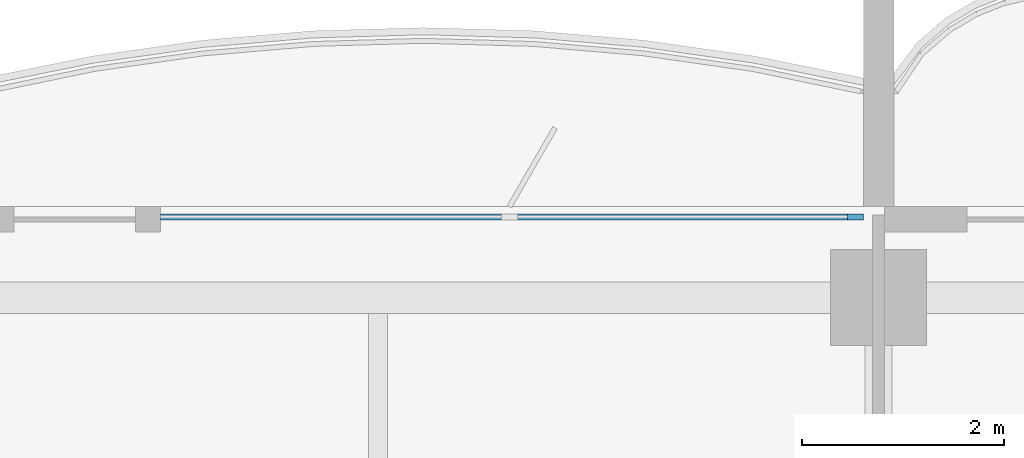
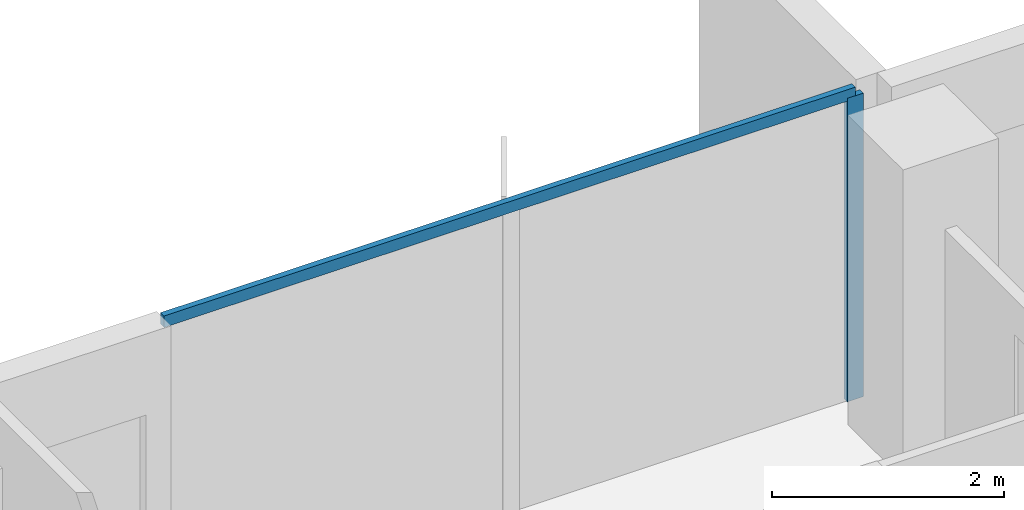
# One storey, part 6 of 17: 2 members, 1 element without a shape of its own.
"""IFC4 building model written with IfcOpenShell, lengths in metres."""

import ifcopenshell
import ifcopenshell.guid

model = None  # the IFC model being written
_history = None  # IfcOwnerHistory: only IFC2X3 demands one
_inside = {}  # id of a spatial element -> (the spatial element, [elements in it])
_under = {}  # id of a project, library or spatial element -> (it, [spatial elements below it])
_declared = {}  # id of a project -> (the project, [libraries it declares])
_typed = {}  # id of a type object -> (the type object, [elements of that type])
_made_of = {}  # id of a material, layer set ... -> (it, [elements and type objects made of it])


def new_model(schema):
    """Start an empty IFC model of exactly this schema.

    Asked for "IFC4X3", IfcOpenShell would pick the latest addendum, in which some entities
    have other attributes; the version numbers below select the first issue.
    IFC2X3 requires an IfcOwnerHistory on every rooted entity: one is made here for all.
    """
    global model, _history
    if schema == "IFC4X3":
        model = ifcopenshell.file(schema_version=(4, 3, 0, 0))
    else:
        model = ifcopenshell.file(schema=schema)
    _inside.clear()
    _under.clear()
    _declared.clear()
    _typed.clear()
    _made_of.clear()
    _history = None
    if model.schema == "IFC2X3":
        org = make("IfcOrganization", Name="unknown")
        user = make(
            "IfcPersonAndOrganization",
            ThePerson=make("IfcPerson", FamilyName="unknown"),
            TheOrganization=org,
        )
        app = make(
            "IfcApplication",
            ApplicationDeveloper=org,
            Version="unknown",
            ApplicationFullName="unknown",
            ApplicationIdentifier="unknown",
        )
        _history = make(
            "IfcOwnerHistory",
            OwningUser=user,
            OwningApplication=app,
            ChangeAction="ADDED",
            CreationDate=0,
        )
    return model


def make(cls, **values):
    """One entity of the class cls with the attributes given. An attribute that is None is left unset."""
    return model.create_entity(
        cls, **{name: value for name, value in values.items() if value is not None}
    )


def rooted(cls, **values):
    """An entity with a GlobalId (a new one), such as an element, a storey or a relation."""
    return make(cls, GlobalId=ifcopenshell.guid.new(), OwnerHistory=_history, **values)


def si_unit(unit_type, name, prefix=None):
    """IfcSIUnit, for example si_unit("LENGTHUNIT", "METRE", prefix="MILLI")."""
    return make("IfcSIUnit", UnitType=unit_type, Prefix=prefix, Name=name)


def assignment(units):
    """IfcUnitAssignment: the units of a project."""
    return None if units is None else make("IfcUnitAssignment", Units=units)


def point(xyz):
    """IfcCartesianPoint."""
    return None if xyz is None else make("IfcCartesianPoint", Coordinates=xyz)


def direction(xyz):
    """IfcDirection."""
    return None if xyz is None else make("IfcDirection", DirectionRatios=xyz)


def frame(location, z_axis=None, x_axis=None):
    """IfcAxis2Placement3D, a coordinate frame: its origin and axes. An axis left out is left unset."""
    return make(
        "IfcAxis2Placement3D",
        Location=point(location),
        Axis=direction(z_axis),
        RefDirection=direction(x_axis),
    )


def frame_2d(location, x_axis=None):
    """IfcAxis2Placement2D, a coordinate frame in the plane: its origin and x axis."""
    return make(
        "IfcAxis2Placement2D", Location=point(location), RefDirection=direction(x_axis)
    )


def origin():
    """The frame at (0, 0, 0) with its axes left unset."""
    return frame((0.0, 0.0, 0.0))


def origin_2d():
    """The frame at (0, 0) in the plane with its x axis left unset."""
    return frame_2d((0.0, 0.0))


def place(relative_to, where):
    """IfcLocalPlacement: puts the frame where relative to a parent placement (None: the world)."""
    return make(
        "IfcLocalPlacement", PlacementRelTo=relative_to, RelativePlacement=where
    )


def context(
    kind, dimensions, precision=None, world=None, true_north=None, identifier=None
):
    """IfcGeometricRepresentationContext, for example the 3D "Model" context."""
    return make(
        "IfcGeometricRepresentationContext",
        ContextIdentifier=identifier,
        ContextType=kind,
        CoordinateSpaceDimension=dimensions,
        Precision=precision,
        WorldCoordinateSystem=world,
        TrueNorth=true_north,
    )


def subcontext(parent, identifier, kind, view, scale=None):
    """IfcGeometricRepresentationSubContext, for example "Body" below "Model"."""
    return make(
        "IfcGeometricRepresentationSubContext",
        ContextIdentifier=identifier,
        ContextType=kind,
        ParentContext=parent,
        TargetScale=scale,
        TargetView=view,
    )


def project(units=None, contexts=None):
    """IfcProject with its units and contexts."""
    return rooted(
        "IfcProject",
        Name="project",
        RepresentationContexts=contexts,
        UnitsInContext=assignment(units),
    )


def spatial(cls, under=None, at=None, **own):
    """A site, building, storey or space (cls), placed at a placement, below another one or the project."""
    s = rooted(cls, ObjectPlacement=at, **own)
    if under is not None:
        _under.setdefault(under.id(), (under, []))[1].append(s)
    return s


def profile(cls, at=None, kind="AREA", **sizes):
    """A parametric profile (cls). Its sizes go by their IFC names, for example OverallWidth=200.0."""
    return make(cls, ProfileType=kind, Position=at, **sizes)


def rectangle(**sizes):
    """IfcRectangleProfileDef."""
    return profile("IfcRectangleProfileDef", **sizes)


def extrude(swept, where, along, depth):
    """IfcExtrudedAreaSolid: the profile swept, set in the frame where, extruded along a direction by depth."""
    return make(
        "IfcExtrudedAreaSolid",
        SweptArea=swept,
        Position=where,
        ExtrudedDirection=direction(along),
        Depth=depth,
    )


def shape(context_of_items, identifier, shape_type, items):
    """IfcShapeRepresentation: the items that make up one representation, for example the "Body"."""
    return make(
        "IfcShapeRepresentation",
        ContextOfItems=context_of_items,
        RepresentationIdentifier=identifier,
        RepresentationType=shape_type,
        Items=items,
    )


def material(Name=None, Category=None):
    """IfcMaterial."""
    return make("IfcMaterial", Name=Name, Category=Category)


def material_profile(
    of_material, cross_section, Name=None, Category=None, Priority=None
):
    """IfcMaterialProfile: a cross section and its material."""
    return make(
        "IfcMaterialProfile",
        Name=Name,
        Material=of_material,
        Profile=cross_section,
        Priority=Priority,
        Category=Category,
    )


def profile_set(profiles, Name=None, composite=None):
    """IfcMaterialProfileSet."""
    return make(
        "IfcMaterialProfileSet",
        Name=Name,
        MaterialProfiles=profiles,
        CompositeProfile=composite,
    )


def made_of(thing, what):
    """Note that an element or type object is made of a material, layer set ...; save() writes the relation."""
    if what is not None:
        _made_of.setdefault(what.id(), (what, []))[1].append(thing)
    return thing


def type_object(cls, material=None, **own):
    """A type object (cls), such as IfcWallType, which elements share."""
    return made_of(rooted(cls, **own), material)


def element(
    cls,
    number,
    at=None,
    inside=None,
    cuts=None,
    type_object=None,
    material=None,
    context=None,
    identifier="Body",
    shape_type=None,
    held_by="IfcProductDefinitionShape",
    body=None,
    shapes=None,
    **own,
):
    """One element of the class cls, such as IfcWall. Its Tag is "e" and its number.

    at: its placement. inside: the storey or other place that contains it. cuts: it is an
    opening in that element (IfcRelVoidsElement). A single representation is given by context,
    identifier, shape_type and body (its items); several are given by shapes. held_by: the class
    of the entity that holds the representations. save() writes the other relations.
    """
    e = rooted(cls, Tag="e%d" % number, ObjectPlacement=at, **own)
    if body is not None:
        shapes = [shape(context, identifier, shape_type, body)]
    if shapes is not None:
        e.Representation = make(held_by, Representations=shapes)
    if inside is not None:
        _inside.setdefault(inside.id(), (inside, []))[1].append(e)
    if cuts is not None:
        rooted(
            "IfcRelVoidsElement", RelatingBuildingElement=cuts, RelatedOpeningElement=e
        )
    if type_object is not None:
        _typed.setdefault(type_object.id(), (type_object, []))[1].append(e)
    return made_of(e, material)


def aggregate(whole, parts):
    """IfcRelAggregates: a whole, such as a stair, and the parts it consists of."""
    return rooted("IfcRelAggregates", RelatingObject=whole, RelatedObjects=parts)


def save(model, path):
    """Write the relations noted so far, then the file.

    IfcRelAggregates (storeys below a building ...), IfcRelContainedInSpatialStructure (elements
    in a storey), IfcRelDefinesByType, IfcRelAssociatesMaterial and IfcRelDeclares: one each for
    every whole, place, type object, material and project.
    """
    for whole, parts in _under.values():
        aggregate(whole, parts)
    for where, things in _inside.values():
        rooted(
            "IfcRelContainedInSpatialStructure",
            RelatedElements=things,
            RelatingStructure=where,
        )
    for kind, things in _typed.values():
        rooted("IfcRelDefinesByType", RelatedObjects=things, RelatingType=kind)
    for what, things in _made_of.values():
        rooted("IfcRelAssociatesMaterial", RelatedObjects=things, RelatingMaterial=what)
    for by, libraries in _declared.values():
        rooted("IfcRelDeclares", RelatingContext=by, RelatedDefinitions=libraries)
    model.write(path)


model = new_model("IFC4")

# Units and contexts
model_context = context("Model", 3, precision=1e-05, world=origin(), true_north=direction((0.0, 1.0)))
body_context = subcontext(model_context, "Body", "Model", "MODEL_VIEW")
ifc_project = project(units=[si_unit("LENGTHUNIT", "METRE"), si_unit("AREAUNIT", "SQUARE_METRE"), si_unit("VOLUMEUNIT", "CUBIC_METRE"), si_unit("PLANEANGLEUNIT", "RADIAN"), si_unit("MASSUNIT", "GRAM", prefix="KILO")], contexts=[model_context])

# Site, building, storey
site_placement = place(None, origin())
site = spatial("IfcSite", under=ifc_project, at=site_placement, CompositionType="ELEMENT")
building_placement = place(site_placement, origin())
building = spatial("IfcBuilding", under=site, at=building_placement, Name="Perihelion Cross Residences", CompositionType="ELEMENT")
storey_placement = place(building_placement, frame((0.0, 0.0, 180.60009765625)))
storey = spatial("IfcBuildingStorey", under=building, at=storey_placement, Name="L44", CompositionType="ELEMENT", Elevation=180.60009765625)

# Curtain wall, members
ifc_material_1 = material(Name="Bronze anodised aluminium, tinted glazing", Category="aluminium")
curtain_wall_type = type_object("IfcCurtainWallType", Name="CW1", PredefinedType="NOTDEFINED", material=ifc_material_1)
curtain_wall_placement = place(storey_placement, origin())
curtain_wall = element("IfcCurtainWall", 1, at=curtain_wall_placement, inside=storey, type_object=curtain_wall_type, Name="Curtain wall CW1 L44 east side north bay 2", PredefinedType="NOTDEFINED")
ifc_material_2 = material(Name="Bronze anodised aluminium", Category="aluminium")
ifc_material_profile_1 = material_profile(ifc_material_2, rectangle(XDim=0.06005859375, YDim=0.159912109375, at=origin_2d()), Name="CW1 mullion")
ifc_profile_set_1 = profile_set([ifc_material_profile_1], Name="Bronze anodised aluminium")
member_type_1 = type_object("IfcMemberType", Name="CW1 mullion", PredefinedType="MULLION", material=ifc_profile_set_1)
member_1_placement = place(storey_placement, frame((17.77001953125, 8.89990234375, 0.0), z_axis=(0.0, 0.0, 1.0), x_axis=(0.0, -1.0, 0.0)))
member_1 = element("IfcMember", 2, at=member_1_placement, type_object=member_type_1, Name="CW1 mullion 1", PredefinedType="MULLION", context=body_context, shape_type="SweptSolid", body=[
    extrude(rectangle(XDim=0.06005859375, YDim=0.159912109375, at=origin_2d()), origin(), (0.0, 0.0, 1.0), 3.18994140625),
])
ifc_material_3 = material(Name="Bronze anodised aluminium", Category="aluminium")
ifc_material_profile_2 = material_profile(ifc_material_3, rectangle(XDim=0.06005859375, YDim=0.1201171875, at=origin_2d()), Name="CW1 transom")
ifc_profile_set_2 = profile_set([ifc_material_profile_2], Name="Bronze anodised aluminium")
member_type_2 = type_object("IfcMemberType", Name="CW1 transom", PredefinedType="USERDEFINED", material=ifc_profile_set_2)
member_2_placement = place(storey_placement, frame((17.77001953125, 8.89990234375, 3.219970703125), z_axis=(-1.0, 0.0, 0.0), x_axis=(0.0, -1.0, 0.0)))
member_2 = element("IfcMember", 3, at=member_2_placement, type_object=member_type_2, Name="CW1 head transom", ObjectType="TRANSOM", PredefinedType="USERDEFINED", context=body_context, shape_type="SweptSolid", body=[
    extrude(rectangle(XDim=0.06005859375, YDim=0.1201171875, at=origin_2d()), origin(), (0.0, 0.0, 1.0), 6.8701171875),
])
aggregate(curtain_wall, [member_1, member_2])

save(model, "model.ifc")
